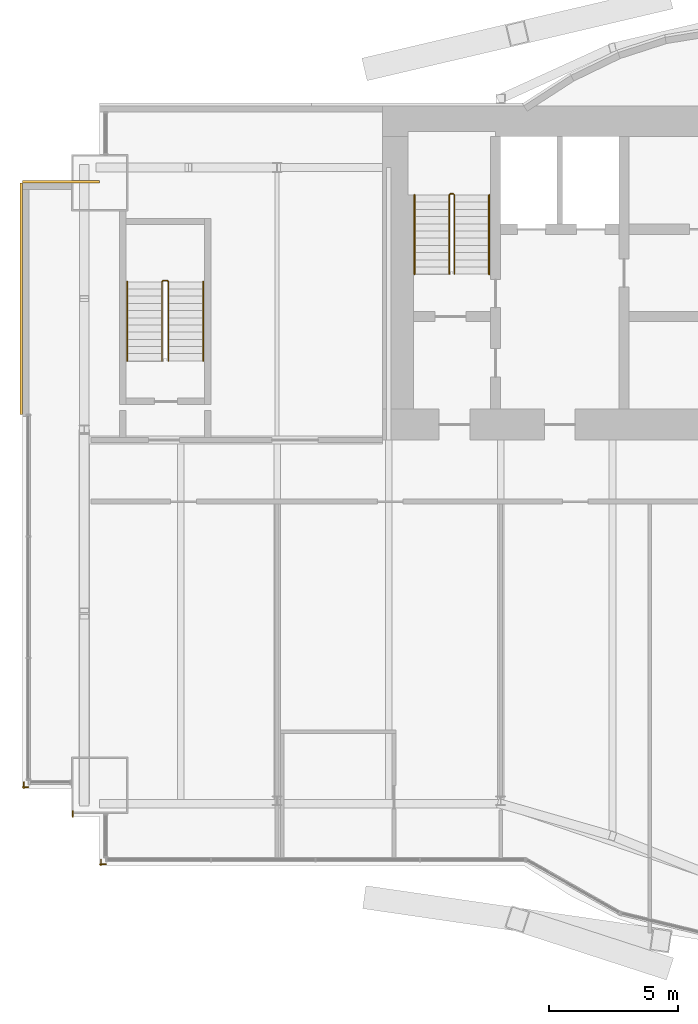
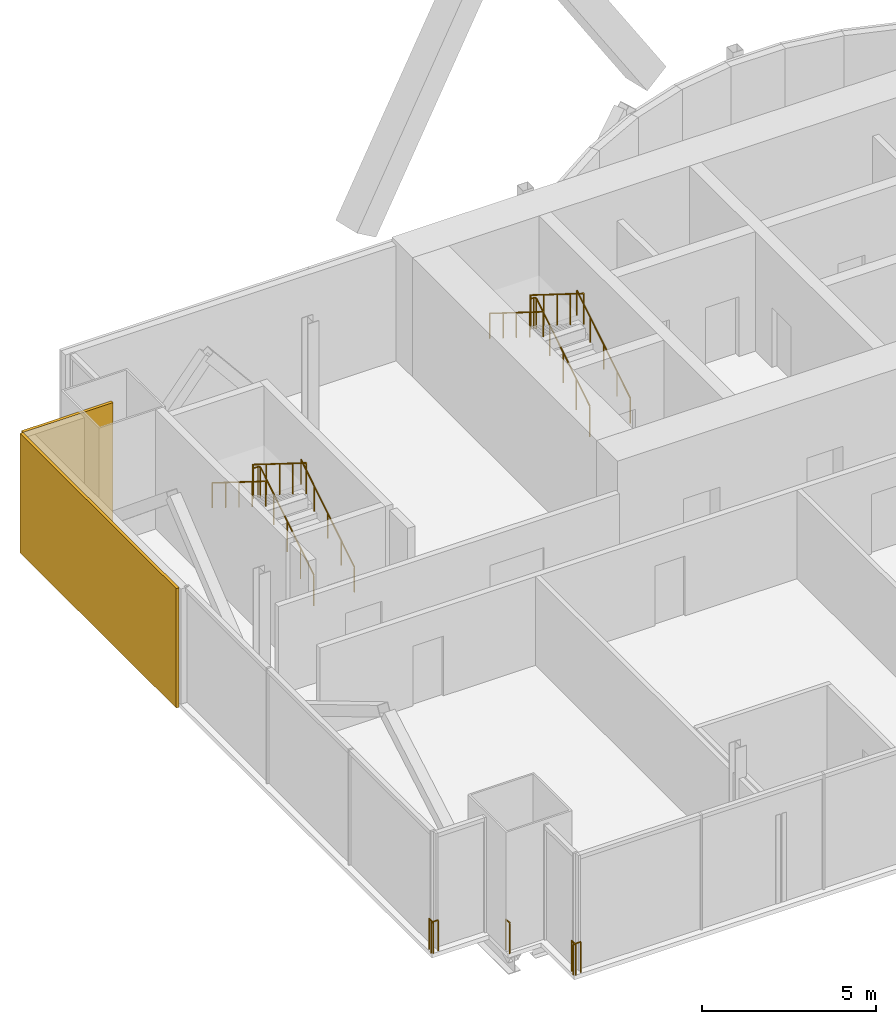
# One storey, part 20 of 22: 9 railings, 2 coverings.
"""IFC4 building model written with IfcOpenShell, lengths in metres."""

from ifc_helpers import new_model, si_unit, direction, frame, origin, origin_2d, place, context, subcontext, project, spatial, rectangle, circle, extrude, material, layer, layer_set, type_object, element, save


model = new_model("IFC4")

# Units and contexts
model_context = context("Model", 3, precision=1e-05, world=origin(), true_north=direction((0.0, 1.0)))
body_context = subcontext(model_context, "Body", "Model", "MODEL_VIEW")
ifc_project = project(units=[si_unit("LENGTHUNIT", "METRE"), si_unit("AREAUNIT", "SQUARE_METRE"), si_unit("VOLUMEUNIT", "CUBIC_METRE"), si_unit("PLANEANGLEUNIT", "RADIAN"), si_unit("MASSUNIT", "GRAM", prefix="KILO")], contexts=[model_context])

# Site, building, storey
site_placement = place(None, origin())
site = spatial("IfcSite", under=ifc_project, at=site_placement, CompositionType="ELEMENT")
building_placement = place(site_placement, origin())
building = spatial("IfcBuilding", under=site, at=building_placement, Name="Bicima Exchange Tower", CompositionType="ELEMENT")
storey_placement = place(building_placement, frame((0.0, 0.0, 254.0)))
storey = spatial("IfcBuildingStorey", under=building, at=storey_placement, Name="L57", CompositionType="ELEMENT", Elevation=254.0)

# Coverings
ifc_material_1 = material(Name="Bronze metal cladding")
ifc_layer_1 = layer(ifc_material_1, 0.004)
ifc_material_2 = material(Name="Ventilated cavity")
ifc_layer_2 = layer(ifc_material_2, 0.06)
ifc_material_3 = material(Name="Galvanised steel rail and mineral wool", Category="steel")
ifc_layer_3 = layer(ifc_material_3, 0.036)
ifc_layer_set = layer_set([ifc_layer_1, ifc_layer_2, ifc_layer_3], Name="Ventilated cavity")
covering_type = type_object("IfcCoveringType", Name="Bronze metal cladding panel 100", PredefinedType="CLADDING", material=ifc_layer_set)
covering_1_placement = place(storey_placement, frame((-34.5, -2.949951171875, -0.14990234375), z_axis=(0.0, 0.0, 1.0), x_axis=(-1.0, 0.0, 0.0)))
element("IfcCovering", 1, at=covering_1_placement, inside=storey, type_object=covering_type, Name="Bronze cladding L57 22.1", PredefinedType="CLADDING", context=body_context, shape_type="SweptSolid", body=[
    extrude(rectangle(XDim=3.0, YDim=0.10009765625, at=origin_2d()), origin(), (0.0, 0.0, 1.0), 4.199951171875),
])
covering_2_placement = place(storey_placement, frame((-36.050048828125, -7.5, -0.14990234375), z_axis=(0.0, 0.0, 1.0), x_axis=(0.0, -1.0, 0.0)))
element("IfcCovering", 2, at=covering_2_placement, inside=storey, type_object=covering_type, Name="Bronze cladding L57 23.1", PredefinedType="CLADDING", context=body_context, shape_type="SweptSolid", body=[
    extrude(rectangle(XDim=9.0, YDim=0.10009765625, at=origin_2d()), origin(), (0.0, 0.0, 1.0), 4.199951171875),
])

# Railings
ifc_material_4 = material(Name="Stainless steel and bonded safety glass", Category="steel")
railing_type_1 = type_object("IfcRailingType", Name="Edge guard 1100", PredefinedType="GUARDRAIL", material=ifc_material_4)
railing_1_placement = place(storey_placement, frame((-35.762939453125, -26.506103515625, 0.0)))
element("IfcRailing", 3, at=railing_1_placement, inside=storey, type_object=railing_type_1, Name="Edge guard L57 289", PredefinedType="GUARDRAIL", context=body_context, shape_type="SweptSolid", body=[
    extrude(circle(Radius=0.02392578125, at=origin_2d()), frame((0.0, 0.0, 1.076171875), z_axis=(-1.0, 0.0, 0.0), x_axis=(0.0, -1.0, 0.0)), (0.0, 0.0, 1.0), 0.237060546875),
    extrude(circle(Radius=0.02392578125, at=origin_2d()), frame((-0.237060546875, 0.0, 1.076171875), z_axis=(0.708833529934, -0.705375805398, 0.0), x_axis=(0.705375805398, 0.708833529934, 0.0)), (0.0, 0.0, 1.0), 0.070556640625),
    extrude(circle(Radius=0.02392578125, at=origin_2d()), frame((-0.18701171875, -0.0498046875, 1.076171875), z_axis=(0.0, 1.0, 0.0), x_axis=(-1.0, 0.0, 0.0)), (0.0, 0.0, 1.0), 0.247802734375),
    extrude(circle(Radius=0.02099609375, at=origin_2d()), origin(), (0.0, 0.0, 1.0), 1.052001953125),
    extrude(circle(Radius=0.02099609375, at=origin_2d()), frame((-0.237060546875, 0.0, 0.0)), (0.0, 0.0, 1.0), 1.052001953125),
    extrude(circle(Radius=0.02099609375, at=origin_2d()), frame((-0.18701171875, -0.0498046875, 0.0)), (0.0, 0.0, 1.0), 1.052001953125),
    extrude(circle(Radius=0.02099609375, at=origin_2d()), frame((-0.18701171875, 0.197998046875, 0.0)), (0.0, 0.0, 1.0), 1.052001953125),
])
railing_2_placement = place(storey_placement, frame((-32.75, -29.506103515625, 0.0)))
element("IfcRailing", 4, at=railing_2_placement, inside=storey, type_object=railing_type_1, Name="Edge guard L57 293", PredefinedType="GUARDRAIL", context=body_context, shape_type="SweptSolid", body=[
    extrude(circle(Radius=0.02392578125, at=origin_2d()), frame((0.0, 0.0, 1.076171875), z_axis=(-1.0, 0.0, 0.0), x_axis=(0.0, -1.0, 0.0)), (0.0, 0.0, 1.0), 0.25),
    extrude(circle(Radius=0.02392578125, at=origin_2d()), frame((-0.25, 0.0, 1.076171875), z_axis=(0.708833529934, -0.705375805398, 0.0), x_axis=(0.705375805398, 0.708833529934, 0.0)), (0.0, 0.0, 1.0), 0.070556640625),
    extrude(circle(Radius=0.02392578125, at=origin_2d()), frame((-0.199951171875, -0.0498046875, 1.076171875), z_axis=(0.0, 1.0, 0.0), x_axis=(-1.0, 0.0, 0.0)), (0.0, 0.0, 1.0), 0.23681640625),
    extrude(circle(Radius=0.02099609375, at=origin_2d()), origin(), (0.0, 0.0, 1.0), 1.052001953125),
    extrude(circle(Radius=0.02099609375, at=origin_2d()), frame((-0.25, 0.0, 0.0)), (0.0, 0.0, 1.0), 1.052001953125),
    extrude(circle(Radius=0.02099609375, at=origin_2d()), frame((-0.199951171875, -0.0498046875, 0.0)), (0.0, 0.0, 1.0), 1.052001953125),
    extrude(circle(Radius=0.02099609375, at=origin_2d()), frame((-0.199951171875, 0.18701171875, 0.0)), (0.0, 0.0, 1.0), 1.052001953125),
])
railing_3_placement = place(storey_placement, frame((-34.050048828125, -27.656005859375, 0.0)))
element("IfcRailing", 5, at=railing_3_placement, inside=storey, type_object=railing_type_1, Name="Edge guard L57 294", PredefinedType="GUARDRAIL", context=body_context, shape_type="SweptSolid", body=[
    extrude(circle(Radius=0.02392578125, at=origin_2d()), frame((0.0, 0.0, 1.076171875), z_axis=(0.0, 1.0, 0.0), x_axis=(-1.0, 0.0, 0.0)), (0.0, 0.0, 1.0), 0.219970703125),
    extrude(circle(Radius=0.02099609375, at=origin_2d()), origin(), (0.0, 0.0, 1.0), 1.052001953125),
    extrude(circle(Radius=0.02099609375, at=origin_2d()), frame((0.0, 0.219970703125, 0.0)), (0.0, 0.0, 1.0), 1.052001953125),
])
ifc_material_5 = material(Name="Stainless steel", Category="steel")
railing_type_2 = type_object("IfcRailingType", Name="Stair guard 1100", PredefinedType="GUARDRAIL", material=ifc_material_5)
railing_4_placement = place(storey_placement, frame((-19.199951171875, -6.550048828125, 0.175048828125)))
element("IfcRailing", 6, at=railing_4_placement, inside=storey, type_object=railing_type_2, Name="L57 ST-W stair guard 1", PredefinedType="GUARDRAIL", context=body_context, shape_type="SweptSolid", body=[
    extrude(circle(Radius=0.02392578125, at=origin_2d()), frame((0.0, 0.0, 1.076171875), z_axis=(0.0, 0.847998304005, 0.529998940003), x_axis=(-1.0, 0.0, 0.0)), (0.0, 0.0, 1.0), 3.632080078125),
    extrude(circle(Radius=0.02392578125, at=origin_2d()), frame((0.0, 3.080078125, 3.0009765625), z_axis=(-0.707106781187, 0.707106781187, 0.0), x_axis=(-0.707106781187, -0.707106781187, 0.0)), (0.0, 0.0, 1.0), 0.07080078125),
    extrude(circle(Radius=0.02392578125, at=origin_2d()), frame((-0.050048828125, 3.130126953125, 3.0009765625), z_axis=(-1.0, 0.0, 0.0), x_axis=(0.0, -1.0, 0.0)), (0.0, 0.0, 1.0), 0.10009765625),
    extrude(circle(Radius=0.02392578125, at=origin_2d()), frame((-0.150146484375, 3.130126953125, 3.0009765625), z_axis=(-0.264179342666, -0.265474339444, 0.927217692888), x_axis=(0.708833529934, -0.705375805398, 0.0)), (0.0, 0.0, 1.0), 0.1884765625),
    extrude(circle(Radius=0.02392578125, at=origin_2d()), frame((-0.199951171875, 3.080078125, 3.17578125), z_axis=(0.0, -0.847998304005, 0.529998940003), x_axis=(1.0, 0.0, 0.0)), (0.0, 0.0, 1.0), 3.632080078125),
    extrude(circle(Radius=0.02099609375, at=origin_2d()), origin(), (0.0, 0.0, 1.0), 1.052001953125),
    extrude(circle(Radius=0.02099609375, at=origin_2d()), frame((0.0, 0.77001953125, 0.481201171875)), (0.0, 0.0, 1.0), 1.052001953125),
    extrude(circle(Radius=0.02099609375, at=origin_2d()), frame((0.0, 1.5400390625, 0.96240234375)), (0.0, 0.0, 1.0), 1.052001953125),
    extrude(circle(Radius=0.02099609375, at=origin_2d()), frame((0.0, 2.31005859375, 1.44384765625)), (0.0, 0.0, 1.0), 1.052001953125),
    extrude(circle(Radius=0.02099609375, at=origin_2d()), frame((0.0, 3.080078125, 1.925048828125)), (0.0, 0.0, 1.0), 1.052001953125),
    extrude(circle(Radius=0.02099609375, at=origin_2d()), frame((-0.050048828125, 3.130126953125, 1.925048828125)), (0.0, 0.0, 1.0), 1.052001953125),
    extrude(circle(Radius=0.02099609375, at=origin_2d()), frame((-0.150146484375, 3.130126953125, 1.925048828125)), (0.0, 0.0, 1.0), 1.052001953125),
    extrude(circle(Radius=0.02099609375, at=origin_2d()), frame((-0.199951171875, 3.080078125, 2.099853515625)), (0.0, 0.0, 1.0), 1.052001953125),
    extrude(circle(Radius=0.02099609375, at=origin_2d()), frame((-0.199951171875, 2.31005859375, 2.5810546875)), (0.0, 0.0, 1.0), 1.052001953125),
    extrude(circle(Radius=0.02099609375, at=origin_2d()), frame((-0.199951171875, 1.5400390625, 3.0625)), (0.0, 0.0, 1.0), 1.052001953125),
    extrude(circle(Radius=0.02099609375, at=origin_2d()), frame((-0.199951171875, 0.77001953125, 3.543701171875)), (0.0, 0.0, 1.0), 1.052001953125),
    extrude(circle(Radius=0.02099609375, at=origin_2d()), frame((-0.199951171875, 0.0, 4.02490234375)), (0.0, 0.0, 1.0), 1.052001953125),
])
railing_5_placement = place(storey_placement, frame((-30.324951171875, -9.925048828125, 0.175048828125)))
element("IfcRailing", 7, at=railing_5_placement, inside=storey, type_object=railing_type_2, Name="L57 ST-WW stair guard 1", PredefinedType="GUARDRAIL", context=body_context, shape_type="SweptSolid", body=[
    extrude(circle(Radius=0.02392578125, at=origin_2d()), frame((0.0, 0.0, 1.076171875), z_axis=(0.0, 0.847998304005, 0.529998940003), x_axis=(-1.0, 0.0, 0.0)), (0.0, 0.0, 1.0), 3.632080078125),
    extrude(circle(Radius=0.02392578125, at=origin_2d()), frame((0.0, 3.080078125, 3.0009765625), z_axis=(-0.707106781187, 0.707106781187, 0.0), x_axis=(-0.707106781187, -0.707106781187, 0.0)), (0.0, 0.0, 1.0), 0.07080078125),
    extrude(circle(Radius=0.02392578125, at=origin_2d()), frame((-0.050048828125, 3.130126953125, 3.0009765625), z_axis=(-1.0, 0.0, 0.0), x_axis=(0.0, -1.0, 0.0)), (0.0, 0.0, 1.0), 0.14990234375),
    extrude(circle(Radius=0.02392578125, at=origin_2d()), frame((-0.199951171875, 3.130126953125, 3.0009765625), z_axis=(-0.265383341853, -0.265383341853, 0.926899867156), x_axis=(0.707106781187, -0.707106781187, 0.0)), (0.0, 0.0, 1.0), 0.1884765625),
    extrude(circle(Radius=0.02392578125, at=origin_2d()), frame((-0.25, 3.080078125, 3.17578125), z_axis=(0.0, -0.847998304005, 0.529998940003), x_axis=(1.0, 0.0, 0.0)), (0.0, 0.0, 1.0), 3.632080078125),
    extrude(circle(Radius=0.02099609375, at=origin_2d()), origin(), (0.0, 0.0, 1.0), 1.052001953125),
    extrude(circle(Radius=0.02099609375, at=origin_2d()), frame((0.0, 0.77001953125, 0.481201171875)), (0.0, 0.0, 1.0), 1.052001953125),
    extrude(circle(Radius=0.02099609375, at=origin_2d()), frame((0.0, 1.5400390625, 0.96240234375)), (0.0, 0.0, 1.0), 1.052001953125),
    extrude(circle(Radius=0.02099609375, at=origin_2d()), frame((0.0, 2.31005859375, 1.44384765625)), (0.0, 0.0, 1.0), 1.052001953125),
    extrude(circle(Radius=0.02099609375, at=origin_2d()), frame((0.0, 3.080078125, 1.925048828125)), (0.0, 0.0, 1.0), 1.052001953125),
    extrude(circle(Radius=0.02099609375, at=origin_2d()), frame((-0.050048828125, 3.130126953125, 1.925048828125)), (0.0, 0.0, 1.0), 1.052001953125),
    extrude(circle(Radius=0.02099609375, at=origin_2d()), frame((-0.199951171875, 3.130126953125, 1.925048828125)), (0.0, 0.0, 1.0), 1.052001953125),
    extrude(circle(Radius=0.02099609375, at=origin_2d()), frame((-0.25, 3.080078125, 2.099853515625)), (0.0, 0.0, 1.0), 1.052001953125),
    extrude(circle(Radius=0.02099609375, at=origin_2d()), frame((-0.25, 2.31005859375, 2.5810546875)), (0.0, 0.0, 1.0), 1.052001953125),
    extrude(circle(Radius=0.02099609375, at=origin_2d()), frame((-0.25, 1.5400390625, 3.0625)), (0.0, 0.0, 1.0), 1.052001953125),
    extrude(circle(Radius=0.02099609375, at=origin_2d()), frame((-0.25, 0.77001953125, 3.543701171875)), (0.0, 0.0, 1.0), 1.052001953125),
    extrude(circle(Radius=0.02099609375, at=origin_2d()), frame((-0.25, 0.0, 4.02490234375)), (0.0, 0.0, 1.0), 1.052001953125),
])
railing_type_3 = type_object("IfcRailingType", Name="Stair handrail 900", PredefinedType="HANDRAIL", material=ifc_material_5)
railing_6_placement = place(storey_placement, frame((-17.85009765625, -6.550048828125, 0.175048828125)))
element("IfcRailing", 8, at=railing_6_placement, inside=storey, type_object=railing_type_3, Name="L57 ST-W stair handrail 1", PredefinedType="HANDRAIL", context=body_context, shape_type="SweptSolid", body=[
    extrude(circle(Radius=0.02392578125, at=origin_2d()), frame((0.0, 0.0, 0.8759765625), z_axis=(0.0, 0.847998304005, 0.529998940003), x_axis=(-1.0, 0.0, 0.0)), (0.0, 0.0, 1.0), 3.632080078125),
    extrude(circle(Radius=0.02099609375, at=origin_2d()), origin(), (0.0, 0.0, 1.0), 0.851806640625),
    extrude(circle(Radius=0.02099609375, at=origin_2d()), frame((0.0, 0.77001953125, 0.481201171875)), (0.0, 0.0, 1.0), 0.851806640625),
    extrude(circle(Radius=0.02099609375, at=origin_2d()), frame((0.0, 1.5400390625, 0.96240234375)), (0.0, 0.0, 1.0), 0.851806640625),
    extrude(circle(Radius=0.02099609375, at=origin_2d()), frame((0.0, 2.31005859375, 1.44384765625)), (0.0, 0.0, 1.0), 0.851806640625),
    extrude(circle(Radius=0.02099609375, at=origin_2d()), frame((0.0, 3.080078125, 1.925048828125)), (0.0, 0.0, 1.0), 0.851806640625),
])
railing_7_placement = place(storey_placement, frame((-20.75, -3.469970703125, 2.303955078125)))
element("IfcRailing", 9, at=railing_7_placement, inside=storey, type_object=railing_type_3, Name="L57 ST-W stair handrail 2", PredefinedType="HANDRAIL", context=body_context, shape_type="SweptSolid", body=[
    extrude(circle(Radius=0.02392578125, at=origin_2d()), frame((0.0, 0.0, 0.8759765625), z_axis=(0.0, -0.847998304005, 0.529998940003), x_axis=(1.0, 0.0, 0.0)), (0.0, 0.0, 1.0), 3.632080078125),
    extrude(circle(Radius=0.02099609375, at=origin_2d()), origin(), (0.0, 0.0, 1.0), 0.851806640625),
    extrude(circle(Radius=0.02099609375, at=origin_2d()), frame((0.0, -0.77001953125, 0.481201171875)), (0.0, 0.0, 1.0), 0.851806640625),
    extrude(circle(Radius=0.02099609375, at=origin_2d()), frame((0.0, -1.5400390625, 0.96240234375)), (0.0, 0.0, 1.0), 0.851806640625),
    extrude(circle(Radius=0.02099609375, at=origin_2d()), frame((0.0, -2.31005859375, 1.44384765625)), (0.0, 0.0, 1.0), 0.851806640625),
    extrude(circle(Radius=0.02099609375, at=origin_2d()), frame((0.0, -3.080078125, 1.925048828125)), (0.0, 0.0, 1.0), 0.851806640625),
])
railing_8_placement = place(storey_placement, frame((-28.97509765625, -9.925048828125, 0.175048828125)))
element("IfcRailing", 10, at=railing_8_placement, inside=storey, type_object=railing_type_3, Name="L57 ST-WW stair handrail 1", PredefinedType="HANDRAIL", context=body_context, shape_type="SweptSolid", body=[
    extrude(circle(Radius=0.02392578125, at=origin_2d()), frame((0.0, 0.0, 0.8759765625), z_axis=(0.0, 0.847998304005, 0.529998940003), x_axis=(-1.0, 0.0, 0.0)), (0.0, 0.0, 1.0), 3.632080078125),
    extrude(circle(Radius=0.02099609375, at=origin_2d()), origin(), (0.0, 0.0, 1.0), 0.851806640625),
    extrude(circle(Radius=0.02099609375, at=origin_2d()), frame((0.0, 0.77001953125, 0.481201171875)), (0.0, 0.0, 1.0), 0.851806640625),
    extrude(circle(Radius=0.02099609375, at=origin_2d()), frame((0.0, 1.5400390625, 0.96240234375)), (0.0, 0.0, 1.0), 0.851806640625),
    extrude(circle(Radius=0.02099609375, at=origin_2d()), frame((0.0, 2.31005859375, 1.44384765625)), (0.0, 0.0, 1.0), 0.851806640625),
    extrude(circle(Radius=0.02099609375, at=origin_2d()), frame((0.0, 3.080078125, 1.925048828125)), (0.0, 0.0, 1.0), 0.851806640625),
])
railing_9_placement = place(storey_placement, frame((-31.925048828125, -6.844970703125, 2.303955078125)))
element("IfcRailing", 11, at=railing_9_placement, inside=storey, type_object=railing_type_3, Name="L57 ST-WW stair handrail 2", PredefinedType="HANDRAIL", context=body_context, shape_type="SweptSolid", body=[
    extrude(circle(Radius=0.02392578125, at=origin_2d()), frame((0.0, 0.0, 0.8759765625), z_axis=(0.0, -0.847998304005, 0.529998940003), x_axis=(1.0, 0.0, 0.0)), (0.0, 0.0, 1.0), 3.632080078125),
    extrude(circle(Radius=0.02099609375, at=origin_2d()), origin(), (0.0, 0.0, 1.0), 0.851806640625),
    extrude(circle(Radius=0.02099609375, at=origin_2d()), frame((0.0, -0.77001953125, 0.481201171875)), (0.0, 0.0, 1.0), 0.851806640625),
    extrude(circle(Radius=0.02099609375, at=origin_2d()), frame((0.0, -1.5400390625, 0.96240234375)), (0.0, 0.0, 1.0), 0.851806640625),
    extrude(circle(Radius=0.02099609375, at=origin_2d()), frame((0.0, -2.31005859375, 1.44384765625)), (0.0, 0.0, 1.0), 0.851806640625),
    extrude(circle(Radius=0.02099609375, at=origin_2d()), frame((0.0, -3.080078125, 1.925048828125)), (0.0, 0.0, 1.0), 0.851806640625),
])

save(model, "model.ifc")
